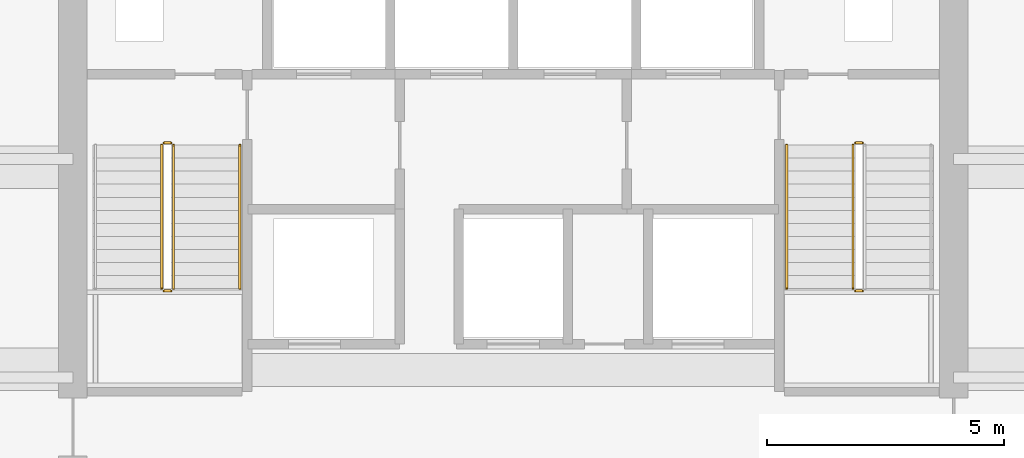
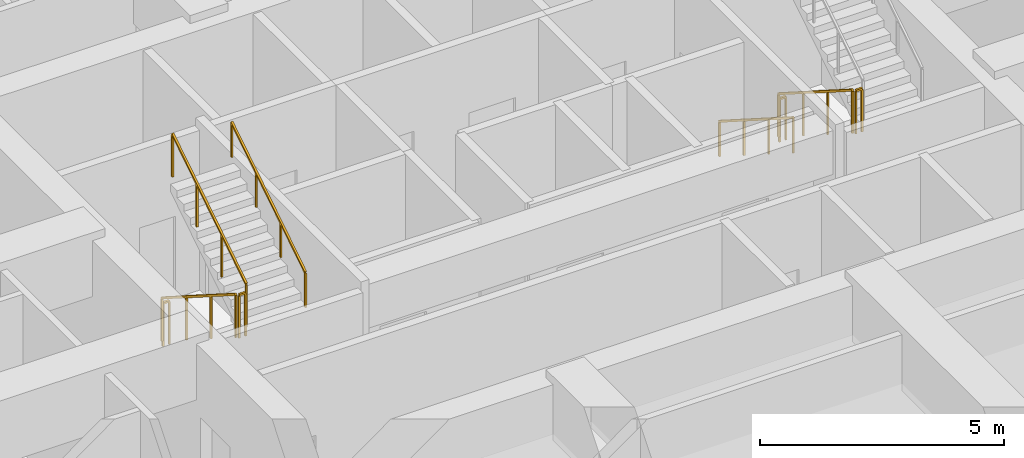
# One storey, part 19 of 20: 9 railings.
"""IFC4 building model written with IfcOpenShell, lengths in metres."""

from ifc_helpers import new_model, si_unit, direction, frame, origin, origin_2d, place, context, subcontext, project, spatial, rectangle, extrude, material, type_object, element, save


model = new_model("IFC4")

# Units and contexts
model_context = context("Model", 3, precision=1e-05, world=origin(), true_north=direction((0.0, 1.0)))
body_context = subcontext(model_context, "Body", "Model", "MODEL_VIEW")
ifc_project = project(units=[si_unit("LENGTHUNIT", "METRE"), si_unit("AREAUNIT", "SQUARE_METRE"), si_unit("VOLUMEUNIT", "CUBIC_METRE"), si_unit("PLANEANGLEUNIT", "RADIAN"), si_unit("MASSUNIT", "GRAM", prefix="KILO")], contexts=[model_context])

# Site, building, storey
site_placement = place(None, origin())
site = spatial("IfcSite", under=ifc_project, at=site_placement, CompositionType="ELEMENT")
building_placement = place(site_placement, origin())
building = spatial("IfcBuilding", under=site, at=building_placement, Name="Cinnabar Lancet Tower", CompositionType="ELEMENT")
storey_placement = place(building_placement, frame((0.0, 0.0, 167.699951171875)))
storey = spatial("IfcBuildingStorey", under=building, at=storey_placement, Name="L44", CompositionType="ELEMENT", Elevation=167.699951171875)

# Railings
ifc_material_1 = material(Name="Painted galvanized steel balustrade", Category="steel")
railing_type_1 = type_object("IfcRailingType", Name="GUARD-STAIR", PredefinedType="GUARDRAIL", material=ifc_material_1)
railing_1_placement = place(storey_placement, frame((24.97509765625, 28.39990234375, 0.175048828125)))
element("IfcRailing", 1, at=railing_1_placement, inside=storey, type_object=railing_type_1, Name="L44 ST-1 stair guard 1", PredefinedType="GUARDRAIL", context=body_context, shape_type="SweptSolid", body=[
    extrude(rectangle(XDim=0.048095703125, YDim=0.048095703125, at=origin_2d()), frame((0.0, 0.0, 1.076171875), z_axis=(0.0, -0.84364746871, 0.536897521451), x_axis=(1.0, 0.0, 0.0)), (0.0, 0.0, 1.0), 3.58544921875),
    extrude(rectangle(XDim=0.0419921875, YDim=0.0419921875, at=origin_2d()), origin(), (0.0, 0.0, 1.0), 1.052001953125),
    extrude(rectangle(XDim=0.0419921875, YDim=0.0419921875, at=origin_2d()), frame((0.0, -1.00830078125, 0.6416015625)), (0.0, 0.0, 1.0), 1.052001953125),
    extrude(rectangle(XDim=0.0419921875, YDim=0.0419921875, at=origin_2d()), frame((0.0, -2.0166015625, 1.283447265625)), (0.0, 0.0, 1.0), 1.052001953125),
    extrude(rectangle(XDim=0.0419921875, YDim=0.0419921875, at=origin_2d()), frame((0.0, -3.02490234375, 1.925048828125)), (0.0, 0.0, 1.0), 1.052001953125),
])
railing_2_placement = place(storey_placement, frame((25.02490234375, 25.324951171875, 2.10009765625)))
element("IfcRailing", 2, at=railing_2_placement, inside=storey, type_object=railing_type_1, Name="L44 ST-1 stair guard 2", PredefinedType="GUARDRAIL", context=body_context, shape_type="SweptSolid", body=[
    extrude(rectangle(XDim=0.048095703125, YDim=0.048095703125, at=origin_2d()), frame((0.0, 0.0, 1.076171875), z_axis=(1.0, 0.0, 0.0), x_axis=(0.0, 1.0, 0.0)), (0.0, 0.0, 1.0), 0.150146484375),
    extrude(rectangle(XDim=0.0419921875, YDim=0.0419921875, at=origin_2d()), origin(), (0.0, 0.0, 1.0), 1.052001953125),
    extrude(rectangle(XDim=0.0419921875, YDim=0.0419921875, at=origin_2d()), frame((0.150146484375, 0.0, 0.0)), (0.0, 0.0, 1.0), 1.052001953125),
])
railing_3_placement = place(storey_placement, frame((25.22509765625, 25.375, 2.275146484375)))
element("IfcRailing", 3, at=railing_3_placement, inside=storey, type_object=railing_type_1, Name="L44 ST-1 stair guard 3", PredefinedType="GUARDRAIL", context=body_context, shape_type="SweptSolid", body=[
    extrude(rectangle(XDim=0.048095703125, YDim=0.048095703125, at=origin_2d()), frame((0.0, 0.0, 1.076171875), z_axis=(0.0, 0.843678310415, 0.536849055634), x_axis=(-1.0, 0.0, 0.0)), (0.0, 0.0, 1.0), 3.58544921875),
    extrude(rectangle(XDim=0.0419921875, YDim=0.0419921875, at=origin_2d()), origin(), (0.0, 0.0, 1.0), 1.052001953125),
    extrude(rectangle(XDim=0.0419921875, YDim=0.0419921875, at=origin_2d()), frame((0.0, 1.00830078125, 0.6416015625)), (0.0, 0.0, 1.0), 1.052001953125),
    extrude(rectangle(XDim=0.0419921875, YDim=0.0419921875, at=origin_2d()), frame((0.0, 2.0166015625, 1.283203125)), (0.0, 0.0, 1.0), 1.052001953125),
    extrude(rectangle(XDim=0.0419921875, YDim=0.0419921875, at=origin_2d()), frame((0.0, 3.02490234375, 1.9248046875)), (0.0, 0.0, 1.0), 1.052001953125),
])
railing_4_placement = place(storey_placement, frame((25.02490234375, 28.449951171875, 0.0)))
element("IfcRailing", 4, at=railing_4_placement, inside=storey, type_object=railing_type_1, Name="L44 ST-1 stair guard 4", PredefinedType="GUARDRAIL", context=body_context, shape_type="SweptSolid", body=[
    extrude(rectangle(XDim=0.048095703125, YDim=0.048095703125, at=origin_2d()), frame((0.0, 0.0, 1.076171875), z_axis=(1.0, 0.0, 0.0), x_axis=(0.0, 1.0, 0.0)), (0.0, 0.0, 1.0), 0.150146484375),
    extrude(rectangle(XDim=0.0419921875, YDim=0.0419921875, at=origin_2d()), origin(), (0.0, 0.0, 1.0), 1.052001953125),
    extrude(rectangle(XDim=0.0419921875, YDim=0.0419921875, at=origin_2d()), frame((0.150146484375, 0.0, 0.0)), (0.0, 0.0, 1.0), 1.052001953125),
])
railing_5_placement = place(storey_placement, frame((39.574951171875, 28.39990234375, 0.175048828125)))
element("IfcRailing", 5, at=railing_5_placement, inside=storey, type_object=railing_type_1, Name="L44 ST-2 stair guard 1", PredefinedType="GUARDRAIL", context=body_context, shape_type="SweptSolid", body=[
    extrude(rectangle(XDim=0.048095703125, YDim=0.048095703125, at=origin_2d()), frame((0.0, 0.0, 1.076171875), z_axis=(0.0, -0.84364746871, 0.536897521451), x_axis=(1.0, 0.0, 0.0)), (0.0, 0.0, 1.0), 3.58544921875),
    extrude(rectangle(XDim=0.0419921875, YDim=0.0419921875, at=origin_2d()), origin(), (0.0, 0.0, 1.0), 1.052001953125),
    extrude(rectangle(XDim=0.0419921875, YDim=0.0419921875, at=origin_2d()), frame((0.0, -1.00830078125, 0.6416015625)), (0.0, 0.0, 1.0), 1.052001953125),
    extrude(rectangle(XDim=0.0419921875, YDim=0.0419921875, at=origin_2d()), frame((0.0, -2.0166015625, 1.283447265625)), (0.0, 0.0, 1.0), 1.052001953125),
    extrude(rectangle(XDim=0.0419921875, YDim=0.0419921875, at=origin_2d()), frame((0.0, -3.02490234375, 1.925048828125)), (0.0, 0.0, 1.0), 1.052001953125),
])
for number, where, name in (
    (6, (39.625, 25.324951171875, 2.10009765625), "L44 ST-2 stair guard 2"),
    (7, (39.625, 28.449951171875, 0.0), "L44 ST-2 stair guard 4"),
):
    element("IfcRailing", number, at=place(storey_placement, frame(where)), inside=storey, type_object=railing_type_1, Name=name, PredefinedType="GUARDRAIL", context=body_context, shape_type="SweptSolid", body=[
        extrude(rectangle(XDim=0.048095703125, YDim=0.048095703125, at=origin_2d()), frame((0.0, 0.0, 1.076171875), z_axis=(1.0, 0.0, 0.0), x_axis=(0.0, 1.0, 0.0)), (0.0, 0.0, 1.0), 0.14990234375),
        extrude(rectangle(XDim=0.0419921875, YDim=0.0419921875, at=origin_2d()), origin(), (0.0, 0.0, 1.0), 1.052001953125),
        extrude(rectangle(XDim=0.0419921875, YDim=0.0419921875, at=origin_2d()), frame((0.14990234375, 0.0, 0.0)), (0.0, 0.0, 1.0), 1.052001953125),
    ])
ifc_material_2 = material(Name="Brushed stainless steel handrail", Category="steel")
railing_type_2 = type_object("IfcRailingType", Name="HANDRAIL-STAIR", PredefinedType="HANDRAIL", material=ifc_material_2)
railing_6_placement = place(storey_placement, frame((26.625, 25.375, 2.275146484375)))
element("IfcRailing", 8, at=railing_6_placement, inside=storey, type_object=railing_type_2, Name="L44 ST-1 stair handrail 2", PredefinedType="HANDRAIL", context=body_context, shape_type="SweptSolid", body=[
    extrude(rectangle(XDim=0.048095703125, YDim=0.048095703125, at=origin_2d()), frame((0.0, 0.0, 0.8759765625), z_axis=(0.0, 0.843678310415, 0.536849055634), x_axis=(-1.0, 0.0, 0.0)), (0.0, 0.0, 1.0), 3.58544921875),
    extrude(rectangle(XDim=0.0419921875, YDim=0.0419921875, at=origin_2d()), origin(), (0.0, 0.0, 1.0), 0.851806640625),
    extrude(rectangle(XDim=0.0419921875, YDim=0.0419921875, at=origin_2d()), frame((0.0, 1.00830078125, 0.6416015625)), (0.0, 0.0, 1.0), 0.851806640625),
    extrude(rectangle(XDim=0.0419921875, YDim=0.0419921875, at=origin_2d()), frame((0.0, 2.0166015625, 1.283203125)), (0.0, 0.0, 1.0), 0.851806640625),
    extrude(rectangle(XDim=0.0419921875, YDim=0.0419921875, at=origin_2d()), frame((0.0, 3.02490234375, 1.9248046875)), (0.0, 0.0, 1.0), 0.851806640625),
])
railing_7_placement = place(storey_placement, frame((38.175048828125, 28.39990234375, 0.175048828125)))
element("IfcRailing", 9, at=railing_7_placement, inside=storey, type_object=railing_type_2, Name="L44 ST-2 stair handrail 1", PredefinedType="HANDRAIL", context=body_context, shape_type="SweptSolid", body=[
    extrude(rectangle(XDim=0.048095703125, YDim=0.048095703125, at=origin_2d()), frame((0.0, 0.0, 0.8759765625), z_axis=(0.0, -0.84364746871, 0.536897521451), x_axis=(1.0, 0.0, 0.0)), (0.0, 0.0, 1.0), 3.58544921875),
    extrude(rectangle(XDim=0.0419921875, YDim=0.0419921875, at=origin_2d()), origin(), (0.0, 0.0, 1.0), 0.851806640625),
    extrude(rectangle(XDim=0.0419921875, YDim=0.0419921875, at=origin_2d()), frame((0.0, -1.00830078125, 0.6416015625)), (0.0, 0.0, 1.0), 0.851806640625),
    extrude(rectangle(XDim=0.0419921875, YDim=0.0419921875, at=origin_2d()), frame((0.0, -2.0166015625, 1.283447265625)), (0.0, 0.0, 1.0), 0.851806640625),
    extrude(rectangle(XDim=0.0419921875, YDim=0.0419921875, at=origin_2d()), frame((0.0, -3.02490234375, 1.925048828125)), (0.0, 0.0, 1.0), 0.851806640625),
])

save(model, "model.ifc")
